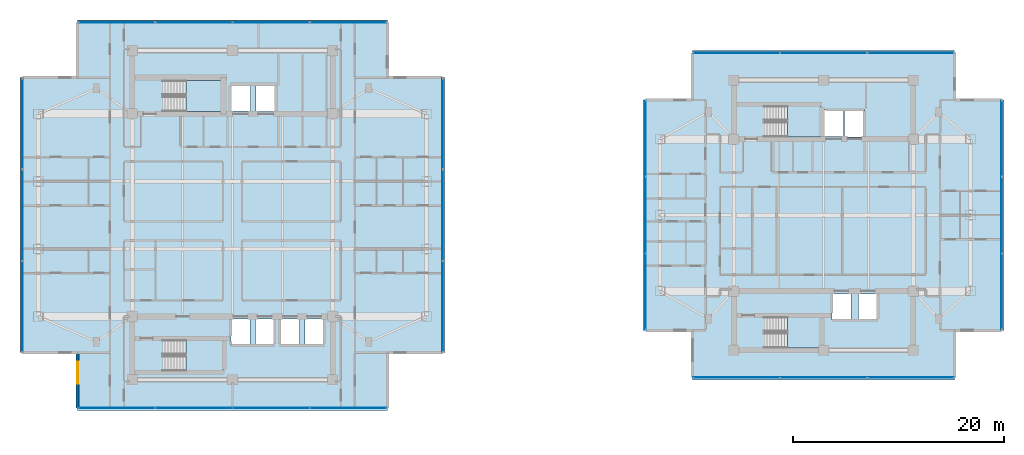
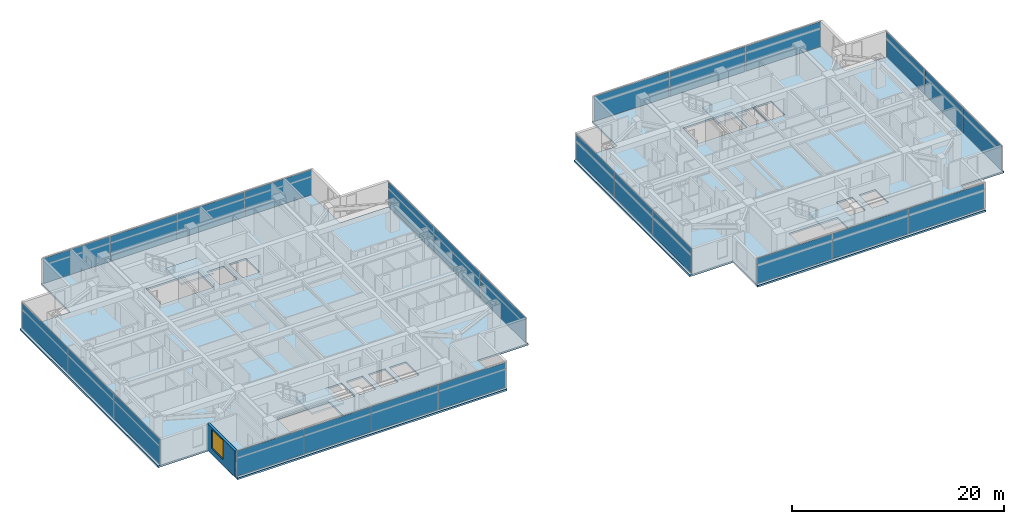
# One storey, part 11 of 24: 26 plates, 6 slabs, 1 wall, 1 window, 1 opening, 12 elements without a shape of their own.
"""IFC4 building model written with IfcOpenShell, lengths in metres."""

from ifc_helpers import new_model, si_unit, direction, frame, frame_2d, origin, origin_2d, place, context, subcontext, project, spatial, polyline, rectangle, outline, extrude, material, layer, layer_set, type_object, element, fill, aggregate, save


model = new_model("IFC4")

# Units and contexts
model_context = context("Model", 3, precision=1e-05, world=origin(), true_north=direction((0.0, 1.0)))
body_context = subcontext(model_context, "Body", "Model", "MODEL_VIEW")
ifc_project = project(units=[si_unit("LENGTHUNIT", "METRE"), si_unit("AREAUNIT", "SQUARE_METRE"), si_unit("VOLUMEUNIT", "CUBIC_METRE"), si_unit("PLANEANGLEUNIT", "RADIAN"), si_unit("MASSUNIT", "GRAM", prefix="KILO")], contexts=[model_context])

# Site, building, storey
site_placement = place(None, origin())
site = spatial("IfcSite", under=ifc_project, at=site_placement, CompositionType="ELEMENT")
building_placement = place(site_placement, origin())
building = spatial("IfcBuilding", under=site, at=building_placement, Name="Mirazonda Arch Towers", CompositionType="ELEMENT")
storey_placement = place(building_placement, frame((0.0, 0.0, 157.64990234375)))
storey = spatial("IfcBuildingStorey", under=building, at=storey_placement, Name="L44", CompositionType="ELEMENT", Elevation=157.64990234375)

# Curtain wall, plates
ifc_material_1 = material(Name="Anodised Aluminium and Low-E Glass", Category="aluminium")
curtain_wall_type = type_object("IfcCurtainWallType", Name="CW-RES-UNIT", PredefinedType="NOTDEFINED", material=ifc_material_1)
curtain_wall_1_placement = place(storey_placement, origin())
curtain_wall_1 = element("IfcCurtainWall", 1, at=curtain_wall_1_placement, inside=storey, type_object=curtain_wall_type, Name="L44 T1 S Facade CW-L44-T1-S", PredefinedType="NOTDEFINED")
ifc_material_2 = material(Name="Insulated Low-E Solar Glass", Category="glass")
ifc_layer_1 = layer(ifc_material_2, 0.0400390625, Name="PAN-CW-RES-UNIT")
ifc_layer_set_1 = layer_set([ifc_layer_1], Name="Insulated Low-E Solar Glass")
plate_type = type_object("IfcPlateType", Name="PAN-CW-RES-UNIT", PredefinedType="CURTAIN_PANEL", material=ifc_layer_set_1)
plate_1_placement = place(storey_placement, frame((31.47998046875, 9.73193359375, 0.0751953125), z_axis=(0.0, 0.0, 1.0), x_axis=(-1.0, 0.0, 0.0)))
plate_1 = element("IfcPlate", 2, at=plate_1_placement, type_object=plate_type, Name="CW-104 panel 1.1", PredefinedType="CURTAIN_PANEL", context=body_context, shape_type="SweptSolid", body=[
    extrude(rectangle(XDim=7.219970703125, YDim=0.0400390625, at=origin_2d()), origin(), (0.0, 0.0, 1.0), 2.8798828125),
])
plate_2_placement = place(storey_placement, frame((24.166259765625, 9.73193359375, 0.0751953125), z_axis=(0.0, 0.0, 1.0), x_axis=(-1.0, 0.0, 0.0)))
plate_2 = element("IfcPlate", 3, at=plate_2_placement, type_object=plate_type, Name="CW-104 panel 2.1", PredefinedType="CURTAIN_PANEL", context=body_context, shape_type="SweptSolid", body=[
    extrude(rectangle(XDim=7.257568359375, YDim=0.0400390625, at=origin_2d()), origin(), (0.0, 0.0, 1.0), 2.8798828125),
])
plate_3_placement = place(storey_placement, frame((16.833740234375, 9.73193359375, 0.0751953125), z_axis=(0.0, 0.0, 1.0), x_axis=(-1.0, 0.0, 0.0)))
plate_3 = element("IfcPlate", 4, at=plate_3_placement, type_object=plate_type, Name="CW-104 panel 3.1", PredefinedType="CURTAIN_PANEL", context=body_context, shape_type="SweptSolid", body=[
    extrude(rectangle(XDim=7.257568359375, YDim=0.0400390625, at=origin_2d()), origin(), (0.0, 0.0, 1.0), 2.8798828125),
])
plate_4_placement = place(storey_placement, frame((9.52001953125, 9.73193359375, 0.0751953125), z_axis=(0.0, 0.0, 1.0), x_axis=(-1.0, 0.0, 0.0)))
plate_4 = element("IfcPlate", 5, at=plate_4_placement, type_object=plate_type, Name="CW-104 panel 4.1", PredefinedType="CURTAIN_PANEL", context=body_context, shape_type="SweptSolid", body=[
    extrude(rectangle(XDim=7.219970703125, YDim=0.0400390625, at=origin_2d()), origin(), (0.0, 0.0, 1.0), 2.8798828125),
])
aggregate(curtain_wall_1, [plate_1, plate_2, plate_3, plate_4])

curtain_wall_2_placement = place(storey_placement, origin())
curtain_wall_2 = element("IfcCurtainWall", 6, at=curtain_wall_2_placement, inside=storey, type_object=curtain_wall_type, Name="L44 T1 E Facade CW-L44-T1-E", PredefinedType="NOTDEFINED")
plate_5_placement = place(storey_placement, frame((40.409912109375, 19.336669921875, 0.0751953125), z_axis=(0.0, 0.0, 1.0), x_axis=(0.0, 1.0, 0.0)))
plate_5 = element("IfcPlate", 7, at=plate_5_placement, type_object=plate_type, Name="CW-104 panel 1.1", PredefinedType="CURTAIN_PANEL", context=body_context, shape_type="SweptSolid", body=[
    extrude(rectangle(XDim=8.569580078125, YDim=0.0400390625, at=origin_2d()), origin(), (0.0, 0.0, 1.0), 2.8798828125),
])
plate_6_placement = place(storey_placement, frame((40.409912109375, 28.0, 0.0751953125), z_axis=(0.0, 0.0, 1.0), x_axis=(0.0, 1.0, 0.0)))
plate_6 = element("IfcPlate", 8, at=plate_6_placement, type_object=plate_type, Name="CW-104 panel 2.1", PredefinedType="CURTAIN_PANEL", context=body_context, shape_type="SweptSolid", body=[
    extrude(rectangle(XDim=8.60693359375, YDim=0.0400390625, at=origin_2d()), origin(), (0.0, 0.0, 1.0), 2.8798828125),
])
plate_7_placement = place(storey_placement, frame((40.409912109375, 36.663330078125, 0.0751953125), z_axis=(0.0, 0.0, 1.0), x_axis=(0.0, 1.0, 0.0)))
plate_7 = element("IfcPlate", 9, at=plate_7_placement, type_object=plate_type, Name="CW-104 panel 3.1", PredefinedType="CURTAIN_PANEL", context=body_context, shape_type="SweptSolid", body=[
    extrude(rectangle(XDim=8.569580078125, YDim=0.0400390625, at=origin_2d()), origin(), (0.0, 0.0, 1.0), 2.8798828125),
])
aggregate(curtain_wall_2, [plate_5, plate_6, plate_7])

curtain_wall_3_placement = place(storey_placement, origin())
curtain_wall_3 = element("IfcCurtainWall", 10, at=curtain_wall_3_placement, inside=storey, type_object=curtain_wall_type, Name="L44 T1 N Facade CW-L44-T1-N", PredefinedType="NOTDEFINED")
plate_8_placement = place(storey_placement, frame((9.52001953125, 46.26806640625, 0.0751953125), z_axis=(0.0, 0.0, 1.0), x_axis=(1.0, 0.0, 0.0)))
plate_8 = element("IfcPlate", 11, at=plate_8_placement, type_object=plate_type, Name="CW-104 panel 1.1", PredefinedType="CURTAIN_PANEL", context=body_context, shape_type="SweptSolid", body=[
    extrude(rectangle(XDim=7.219970703125, YDim=0.0400390625, at=origin_2d()), origin(), (0.0, 0.0, 1.0), 2.8798828125),
])
plate_9_placement = place(storey_placement, frame((16.833740234375, 46.26806640625, 0.0751953125), z_axis=(0.0, 0.0, 1.0), x_axis=(1.0, 0.0, 0.0)))
plate_9 = element("IfcPlate", 12, at=plate_9_placement, type_object=plate_type, Name="CW-104 panel 2.1", PredefinedType="CURTAIN_PANEL", context=body_context, shape_type="SweptSolid", body=[
    extrude(rectangle(XDim=7.257568359375, YDim=0.0400390625, at=origin_2d()), origin(), (0.0, 0.0, 1.0), 2.8798828125),
])
plate_10_placement = place(storey_placement, frame((24.166259765625, 46.26806640625, 0.0751953125), z_axis=(0.0, 0.0, 1.0), x_axis=(1.0, 0.0, 0.0)))
plate_10 = element("IfcPlate", 13, at=plate_10_placement, type_object=plate_type, Name="CW-104 panel 3.1", PredefinedType="CURTAIN_PANEL", context=body_context, shape_type="SweptSolid", body=[
    extrude(rectangle(XDim=7.257568359375, YDim=0.0400390625, at=origin_2d()), origin(), (0.0, 0.0, 1.0), 2.8798828125),
])
plate_11_placement = place(storey_placement, frame((31.47998046875, 46.26806640625, 0.0751953125), z_axis=(0.0, 0.0, 1.0), x_axis=(1.0, 0.0, 0.0)))
plate_11 = element("IfcPlate", 14, at=plate_11_placement, type_object=plate_type, Name="CW-104 panel 4.1", PredefinedType="CURTAIN_PANEL", context=body_context, shape_type="SweptSolid", body=[
    extrude(rectangle(XDim=7.219970703125, YDim=0.0400390625, at=origin_2d()), origin(), (0.0, 0.0, 1.0), 2.8798828125),
])
aggregate(curtain_wall_3, [plate_8, plate_9, plate_10, plate_11])

curtain_wall_4_placement = place(storey_placement, origin())
curtain_wall_4 = element("IfcCurtainWall", 15, at=curtain_wall_4_placement, inside=storey, type_object=curtain_wall_type, Name="L44 T1 W Facade CW-L44-T1-W", PredefinedType="NOTDEFINED")
plate_12_placement = place(storey_placement, frame((0.590087890625, 36.663330078125, 0.0751953125), z_axis=(0.0, 0.0, 1.0), x_axis=(0.0, -1.0, 0.0)))
plate_12 = element("IfcPlate", 16, at=plate_12_placement, type_object=plate_type, Name="CW-104 panel 1.1", PredefinedType="CURTAIN_PANEL", context=body_context, shape_type="SweptSolid", body=[
    extrude(rectangle(XDim=8.569580078125, YDim=0.0400390625, at=origin_2d()), origin(), (0.0, 0.0, 1.0), 2.8798828125),
])
plate_13_placement = place(storey_placement, frame((0.590087890625, 28.0, 0.0751953125), z_axis=(0.0, 0.0, 1.0), x_axis=(0.0, -1.0, 0.0)))
plate_13 = element("IfcPlate", 17, at=plate_13_placement, type_object=plate_type, Name="CW-104 panel 2.1", PredefinedType="CURTAIN_PANEL", context=body_context, shape_type="SweptSolid", body=[
    extrude(rectangle(XDim=8.60693359375, YDim=0.0400390625, at=origin_2d()), origin(), (0.0, 0.0, 1.0), 2.8798828125),
])
plate_14_placement = place(storey_placement, frame((0.590087890625, 19.336669921875, 0.0751953125), z_axis=(0.0, 0.0, 1.0), x_axis=(0.0, -1.0, 0.0)))
plate_14 = element("IfcPlate", 18, at=plate_14_placement, type_object=plate_type, Name="CW-104 panel 3.1", PredefinedType="CURTAIN_PANEL", context=body_context, shape_type="SweptSolid", body=[
    extrude(rectangle(XDim=8.569580078125, YDim=0.0400390625, at=origin_2d()), origin(), (0.0, 0.0, 1.0), 2.8798828125),
])
aggregate(curtain_wall_4, [plate_12, plate_13, plate_14])

curtain_wall_5_placement = place(storey_placement, origin())
curtain_wall_5 = element("IfcCurtainWall", 19, at=curtain_wall_5_placement, inside=storey, type_object=curtain_wall_type, Name="L44 T2 S Facade CW-L44-T2-S", PredefinedType="NOTDEFINED")
plate_15_placement = place(storey_placement, frame((84.75146484375, 12.625244140625, 0.0751953125), z_axis=(0.0, 0.0, 1.0), x_axis=(-1.0, 0.0, 0.0)))
plate_15 = element("IfcPlate", 20, at=plate_15_placement, type_object=plate_type, Name="CW-104 panel 1.1", PredefinedType="CURTAIN_PANEL", context=body_context, shape_type="SweptSolid", body=[
    extrude(rectangle(XDim=8.15771484375, YDim=0.0400390625, at=origin_2d()), origin(), (0.0, 0.0, 1.0), 2.8798828125),
])
plate_16_placement = place(storey_placement, frame((76.5, 12.625244140625, 0.0751953125), z_axis=(0.0, 0.0, 1.0), x_axis=(-1.0, 0.0, 0.0)))
plate_16 = element("IfcPlate", 21, at=plate_16_placement, type_object=plate_type, Name="CW-104 panel 2.1", PredefinedType="CURTAIN_PANEL", context=body_context, shape_type="SweptSolid", body=[
    extrude(rectangle(XDim=8.1953125, YDim=0.0400390625, at=origin_2d()), origin(), (0.0, 0.0, 1.0), 2.8798828125),
])
plate_17_placement = place(storey_placement, frame((68.24853515625, 12.625244140625, 0.0751953125), z_axis=(0.0, 0.0, 1.0), x_axis=(-1.0, 0.0, 0.0)))
plate_17 = element("IfcPlate", 22, at=plate_17_placement, type_object=plate_type, Name="CW-104 panel 3.1", PredefinedType="CURTAIN_PANEL", context=body_context, shape_type="SweptSolid", body=[
    extrude(rectangle(XDim=8.15771484375, YDim=0.0400390625, at=origin_2d()), origin(), (0.0, 0.0, 1.0), 2.8798828125),
])
aggregate(curtain_wall_5, [plate_15, plate_16, plate_17])

curtain_wall_6_placement = place(storey_placement, origin())
curtain_wall_6 = element("IfcCurtainWall", 23, at=curtain_wall_6_placement, inside=storey, type_object=curtain_wall_type, Name="L44 T2 E Facade CW-L44-T2-E", PredefinedType="NOTDEFINED")
plate_18_placement = place(storey_placement, frame((93.37060546875, 20.74560546875, 0.0751953125), z_axis=(0.0, 0.0, 1.0), x_axis=(0.0, 1.0, 0.0)))
plate_18 = element("IfcPlate", 24, at=plate_18_placement, type_object=plate_type, Name="CW-104 panel 1.1", PredefinedType="CURTAIN_PANEL", context=body_context, shape_type="SweptSolid", body=[
    extrude(rectangle(XDim=7.16064453125, YDim=0.0400390625, at=origin_2d()), origin(), (0.0, 0.0, 1.0), 2.8798828125),
])
plate_19_placement = place(storey_placement, frame((93.37060546875, 28.0, 0.0751953125), z_axis=(0.0, 0.0, 1.0), x_axis=(0.0, 1.0, 0.0)))
plate_19 = element("IfcPlate", 25, at=plate_19_placement, type_object=plate_type, Name="CW-104 panel 2.1", PredefinedType="CURTAIN_PANEL", context=body_context, shape_type="SweptSolid", body=[
    extrude(rectangle(XDim=7.197998046875, YDim=0.0400390625, at=origin_2d()), origin(), (0.0, 0.0, 1.0), 2.8798828125),
])
plate_20_placement = place(storey_placement, frame((93.37060546875, 35.25439453125, 0.0751953125), z_axis=(0.0, 0.0, 1.0), x_axis=(0.0, 1.0, 0.0)))
plate_20 = element("IfcPlate", 26, at=plate_20_placement, type_object=plate_type, Name="CW-104 panel 3.1", PredefinedType="CURTAIN_PANEL", context=body_context, shape_type="SweptSolid", body=[
    extrude(rectangle(XDim=7.16064453125, YDim=0.0400390625, at=origin_2d()), origin(), (0.0, 0.0, 1.0), 2.8798828125),
])
aggregate(curtain_wall_6, [plate_18, plate_19, plate_20])

curtain_wall_7_placement = place(storey_placement, origin())
curtain_wall_7 = element("IfcCurtainWall", 27, at=curtain_wall_7_placement, inside=storey, type_object=curtain_wall_type, Name="L44 T2 N Facade CW-L44-T2-N", PredefinedType="NOTDEFINED")
plate_21_placement = place(storey_placement, frame((68.24853515625, 43.374755859375, 0.0751953125), z_axis=(0.0, 0.0, 1.0), x_axis=(1.0, 0.0, 0.0)))
plate_21 = element("IfcPlate", 28, at=plate_21_placement, type_object=plate_type, Name="CW-104 panel 1.1", PredefinedType="CURTAIN_PANEL", context=body_context, shape_type="SweptSolid", body=[
    extrude(rectangle(XDim=8.15771484375, YDim=0.0400390625, at=origin_2d()), origin(), (0.0, 0.0, 1.0), 2.8798828125),
])
plate_22_placement = place(storey_placement, frame((76.5, 43.374755859375, 0.0751953125), z_axis=(0.0, 0.0, 1.0), x_axis=(1.0, 0.0, 0.0)))
plate_22 = element("IfcPlate", 29, at=plate_22_placement, type_object=plate_type, Name="CW-104 panel 2.1", PredefinedType="CURTAIN_PANEL", context=body_context, shape_type="SweptSolid", body=[
    extrude(rectangle(XDim=8.1953125, YDim=0.0400390625, at=origin_2d()), origin(), (0.0, 0.0, 1.0), 2.8798828125),
])
plate_23_placement = place(storey_placement, frame((84.75146484375, 43.374755859375, 0.0751953125), z_axis=(0.0, 0.0, 1.0), x_axis=(1.0, 0.0, 0.0)))
plate_23 = element("IfcPlate", 30, at=plate_23_placement, type_object=plate_type, Name="CW-104 panel 3.1", PredefinedType="CURTAIN_PANEL", context=body_context, shape_type="SweptSolid", body=[
    extrude(rectangle(XDim=8.15771484375, YDim=0.0400390625, at=origin_2d()), origin(), (0.0, 0.0, 1.0), 2.8798828125),
])
aggregate(curtain_wall_7, [plate_21, plate_22, plate_23])

curtain_wall_8_placement = place(storey_placement, origin())
curtain_wall_8 = element("IfcCurtainWall", 31, at=curtain_wall_8_placement, inside=storey, type_object=curtain_wall_type, Name="L44 T2 W Facade CW-L44-T2-W", PredefinedType="NOTDEFINED")
plate_24_placement = place(storey_placement, frame((59.62939453125, 35.25439453125, 0.0751953125), z_axis=(0.0, 0.0, 1.0), x_axis=(0.0, -1.0, 0.0)))
plate_24 = element("IfcPlate", 32, at=plate_24_placement, type_object=plate_type, Name="CW-104 panel 1.1", PredefinedType="CURTAIN_PANEL", context=body_context, shape_type="SweptSolid", body=[
    extrude(rectangle(XDim=7.16064453125, YDim=0.0400390625, at=origin_2d()), origin(), (0.0, 0.0, 1.0), 2.8798828125),
])
plate_25_placement = place(storey_placement, frame((59.62939453125, 28.0, 0.0751953125), z_axis=(0.0, 0.0, 1.0), x_axis=(0.0, -1.0, 0.0)))
plate_25 = element("IfcPlate", 33, at=plate_25_placement, type_object=plate_type, Name="CW-104 panel 2.1", PredefinedType="CURTAIN_PANEL", context=body_context, shape_type="SweptSolid", body=[
    extrude(rectangle(XDim=7.197998046875, YDim=0.0400390625, at=origin_2d()), origin(), (0.0, 0.0, 1.0), 2.8798828125),
])
plate_26_placement = place(storey_placement, frame((59.62939453125, 20.74560546875, 0.0751953125), z_axis=(0.0, 0.0, 1.0), x_axis=(0.0, -1.0, 0.0)))
plate_26 = element("IfcPlate", 34, at=plate_26_placement, type_object=plate_type, Name="CW-104 panel 3.1", PredefinedType="CURTAIN_PANEL", context=body_context, shape_type="SweptSolid", body=[
    extrude(rectangle(XDim=7.16064453125, YDim=0.0400390625, at=origin_2d()), origin(), (0.0, 0.0, 1.0), 2.8798828125),
])
aggregate(curtain_wall_8, [plate_24, plate_25, plate_26])

# Stair, slab
ifc_material_3 = material(Name="Concrete C40/50", Category="concrete")
stair_type = type_object("IfcStairType", Name="STAIR-CORE-1400", PredefinedType="HALF_TURN_STAIR", material=ifc_material_3)
stair_1_placement = place(storey_placement, origin())
stair_1 = element("IfcStair", 35, at=stair_1_placement, inside=storey, type_object=stair_type, Name="L44 Protected Exit Stair ST-T1N", PredefinedType="HALF_TURN_STAIR")
ifc_layer_2 = layer(ifc_material_3, 0.18994140625, Name="SLAB-LANDING-190")
ifc_layer_set_2 = layer_set([ifc_layer_2], Name="Concrete C40/50")
slab_type_1 = type_object("IfcSlabType", Name="SLAB-LANDING-190", PredefinedType="LANDING", material=ifc_layer_set_2)
slab_1_placement = place(storey_placement, frame((0.0, 0.0, 1.425048828125)))
slab_1 = element("IfcSlab", 36, at=slab_1_placement, type_object=slab_type_1, Name="ST-T1N landing 1", PredefinedType="LANDING", context=body_context, shape_type="SweptSolid", body=[
    extrude(outline(polyline([(16.090087890625, 37.820068359375), (19.60009765625, 37.820068359375), (19.60009765625, 40.760009765625), (16.090087890625, 40.760009765625), (16.090087890625, 37.820068359375)])), origin(), (0.0, 0.0, 1.0), 0.199951171875),
])
aggregate(stair_1, [slab_1])

stair_2_placement = place(storey_placement, origin())
stair_2 = element("IfcStair", 37, at=stair_2_placement, inside=storey, type_object=stair_type, Name="L44 Protected Exit Stair ST-T1S", PredefinedType="HALF_TURN_STAIR")
slab_2_placement = place(storey_placement, frame((0.0, 0.0, 1.425048828125)))
slab_2 = element("IfcSlab", 38, at=slab_2_placement, type_object=slab_type_1, Name="ST-T1S landing 1", PredefinedType="LANDING", context=body_context, shape_type="SweptSolid", body=[
    extrude(outline(polyline([(16.090087890625, 13.25), (19.60009765625, 13.25), (19.60009765625, 16.18994140625), (16.090087890625, 16.18994140625), (16.090087890625, 13.25)])), origin(), (0.0, 0.0, 1.0), 0.199951171875),
])
aggregate(stair_2, [slab_2])

stair_3_placement = place(storey_placement, origin())
stair_3 = element("IfcStair", 39, at=stair_3_placement, inside=storey, type_object=stair_type, Name="L44 Protected Exit Stair ST-T2N", PredefinedType="HALF_TURN_STAIR")
slab_3_placement = place(storey_placement, frame((0.0, 0.0, 1.425048828125)))
slab_3 = element("IfcSlab", 40, at=slab_3_placement, type_object=slab_type_1, Name="ST-T2N landing 1", PredefinedType="LANDING", context=body_context, shape_type="SweptSolid", body=[
    extrude(outline(polyline([(73.090087890625, 35.419921875), (76.22998046875, 35.419921875), (76.22998046875, 38.360107421875), (73.090087890625, 38.360107421875), (73.090087890625, 35.419921875)])), origin(), (0.0, 0.0, 1.0), 0.199951171875),
])
aggregate(stair_3, [slab_3])

stair_4_placement = place(storey_placement, origin())
stair_4 = element("IfcStair", 41, at=stair_4_placement, inside=storey, type_object=stair_type, Name="L44 Protected Exit Stair ST-T2S", PredefinedType="HALF_TURN_STAIR")
slab_4_placement = place(storey_placement, frame((0.0, 0.0, 1.425048828125)))
slab_4 = element("IfcSlab", 42, at=slab_4_placement, type_object=slab_type_1, Name="ST-T2S landing 1", PredefinedType="LANDING", context=body_context, shape_type="SweptSolid", body=[
    extrude(outline(polyline([(73.090087890625, 15.419921875), (76.22998046875, 15.419921875), (76.22998046875, 18.360107421875), (73.090087890625, 18.360107421875), (73.090087890625, 15.419921875)])), origin(), (0.0, 0.0, 1.0), 0.199951171875),
])
aggregate(stair_4, [slab_4])

# Slabs
ifc_layer_3 = layer(ifc_material_3, 0.199951171875, Name="SLAB-TWR-200")
ifc_layer_set_3 = layer_set([ifc_layer_3], Name="Concrete C40/50")
slab_type_2 = type_object("IfcSlabType", Name="SLAB-TWR-200", PredefinedType="FLOOR", material=ifc_layer_set_3)
slab_5_placement = place(storey_placement, frame((0.0, 0.0, -0.199951171875)))
element("IfcSlab", 43, at=slab_5_placement, inside=storey, type_object=slab_type_2, Name="L44 Tower 1 Floor Slab", PredefinedType="FLOOR", context=body_context, shape_type="SweptSolid", body=[
    extrude(outline(polyline([(5.8349609375, 9.511962890625), (35.1650390625, 9.511962890625), (35.1650390625, 14.97705078125), (40.6298828125, 14.97705078125), (40.6298828125, 41.02294921875), (35.1650390625, 41.02294921875), (35.1650390625, 46.488037109375), (5.8349609375, 46.488037109375), (5.8349609375, 41.02294921875), (0.3701171875, 41.02294921875), (0.3701171875, 14.97705078125), (5.8349609375, 14.97705078125), (5.8349609375, 9.511962890625)]), holes=[polyline([(27.360107421875, 18.139892578125), (29.139892578125, 18.139892578125), (29.139892578125, 15.659912109375), (27.360107421875, 15.659912109375), (27.360107421875, 18.139892578125)]), polyline([(25.06005859375, 18.139892578125), (26.840087890625, 18.139892578125), (26.840087890625, 15.659912109375), (25.06005859375, 15.659912109375), (25.06005859375, 18.139892578125)]), polyline([(22.7099609375, 40.389892578125), (24.590087890625, 40.389892578125), (24.590087890625, 37.81005859375), (22.7099609375, 37.81005859375), (22.7099609375, 40.389892578125)]), polyline([(22.659912109375, 18.139892578125), (24.43994140625, 18.139892578125), (24.43994140625, 15.659912109375), (22.659912109375, 15.659912109375), (22.659912109375, 18.139892578125)]), polyline([(20.31005859375, 40.340087890625), (22.18994140625, 40.340087890625), (22.18994140625, 37.860107421875), (20.31005859375, 37.860107421875), (20.31005859375, 40.340087890625)]), polyline([(20.360107421875, 18.139892578125), (22.139892578125, 18.139892578125), (22.139892578125, 15.659912109375), (20.360107421875, 15.659912109375), (20.360107421875, 18.139892578125)]), polyline([(13.925048828125, 13.25), (13.925048828125, 16.18994140625), (19.60009765625, 16.18994140625), (19.60009765625, 13.25), (13.925048828125, 13.25)]), polyline([(13.925048828125, 37.820068359375), (13.925048828125, 40.760009765625), (19.60009765625, 40.760009765625), (19.60009765625, 37.820068359375), (13.925048828125, 37.820068359375)])]), origin(), (0.0, 0.0, 1.0), 0.199951171875),
])
slab_6_placement = place(storey_placement, frame((0.0, 0.0, -0.199951171875)))
element("IfcSlab", 44, at=slab_6_placement, inside=storey, type_object=slab_type_2, Name="L44 Tower 2 Floor Slab", PredefinedType="FLOOR", context=body_context, shape_type="SweptSolid", body=[
    extrude(outline(polyline([(64.0947265625, 12.4052734375), (88.9052734375, 12.4052734375), (88.9052734375, 17.09033203125), (93.590576171875, 17.09033203125), (93.590576171875, 38.90966796875), (88.9052734375, 38.90966796875), (88.9052734375, 43.5947265625), (64.0947265625, 43.5947265625), (64.0947265625, 38.90966796875), (59.409423828125, 38.90966796875), (59.409423828125, 17.09033203125), (64.0947265625, 17.09033203125), (64.0947265625, 12.4052734375)]), holes=[polyline([(79.81005859375, 20.5400390625), (81.590087890625, 20.5400390625), (81.590087890625, 18.06005859375), (79.81005859375, 18.06005859375), (79.81005859375, 20.5400390625)]), polyline([(78.47998046875, 37.989990234375), (80.360107421875, 37.989990234375), (80.360107421875, 35.409912109375), (78.47998046875, 35.409912109375), (78.47998046875, 37.989990234375)]), polyline([(77.31005859375, 20.5400390625), (79.090087890625, 20.5400390625), (79.090087890625, 18.06005859375), (77.31005859375, 18.06005859375), (77.31005859375, 20.5400390625)]), polyline([(76.510009765625, 35.4599609375), (76.510009765625, 37.93994140625), (78.389892578125, 37.93994140625), (78.389892578125, 35.4599609375), (76.510009765625, 35.4599609375)]), polyline([(76.22998046875, 15.419921875), (70.925048828125, 15.419921875), (70.925048828125, 18.360107421875), (76.22998046875, 18.360107421875), (76.22998046875, 15.419921875)]), polyline([(70.925048828125, 35.419921875), (70.925048828125, 38.360107421875), (76.22998046875, 38.360107421875), (76.22998046875, 35.419921875), (70.925048828125, 35.419921875)])]), origin(), (0.0, 0.0, 1.0), 0.199951171875),
])

# Wall, opening, window
ifc_material_4 = material(Name="Precast Concrete C40/50", Category="concrete")
ifc_layer_4 = layer(ifc_material_4, 0.280029296875, Name="WALL-EXT-WALL-280")
ifc_layer_set_4 = layer_set([ifc_layer_4], Name="Precast Concrete C40/50")
wall_type = type_object("IfcWallType", Name="WALL-EXT-WALL-280", PredefinedType="SOLIDWALL", material=ifc_layer_set_4)
wall_placement = place(storey_placement, frame((5.8349609375, 14.97705078125, 0.0), z_axis=(0.0, 0.0, 1.0), x_axis=(0.0, -1.0, 0.0)))
wall = element("IfcWall", 45, at=wall_placement, inside=storey, type_object=wall_type, Name="L44 T1 Notched SW Corner Wall WL-L44-T1-CSW", PredefinedType="SOLIDWALL", context=body_context, shape_type="SweptSolid", body=[
    extrude(rectangle(XDim=5.2451171875, YDim=0.280029296875, at=frame_2d((2.62255859375, 0.0))), origin(), (0.0, 0.0, 1.0), 3.030029296875),
])
opening_placement = place(wall_placement, frame((0.85009765625, 0.0, 0.679931640625)))
opening = element("IfcOpeningElement", 46, at=opening_placement, cuts=wall, Name="Opening WN-117", PredefinedType="OPENING", context=body_context, shape_type="SweptSolid", body=[
    extrude(rectangle(XDim=2.10009765625, YDim=2.199951171875, at=frame_2d((1.050048828125, 1.10009765625))), frame((0.0, 0.14990234375, 0.0), z_axis=(0.0, -1.0, 0.0), x_axis=(1.0, 0.0, 0.0)), (0.0, 0.0, 1.0), 0.300048828125),
])
window_type = type_object("IfcWindowType", Name="WIN-RES-2100x2200", PartitioningType="SINGLE_PANEL", PredefinedType="WINDOW", material=ifc_material_2)
window_placement = place(opening_placement, origin())
window = element("IfcWindow", 47, at=window_placement, inside=storey, type_object=window_type, Name="L44 Punched Facade Window WN-L44-T1-CSW", OverallHeight=2.199951171875, OverallWidth=2.10009765625, PartitioningType="SINGLE_PANEL", PredefinedType="WINDOW", context=body_context, shape_type="SweptSolid", body=[
    extrude(rectangle(XDim=2.10009765625, YDim=2.199951171875, at=frame_2d((1.050048828125, 1.10009765625))), frame((0.0, 0.030029296875, 0.0), z_axis=(0.0, -1.0, 0.0), x_axis=(1.0, 0.0, 0.0)), (0.0, 0.0, 1.0), 0.06005859375),
])
fill(opening, window)

save(model, "model.ifc")
